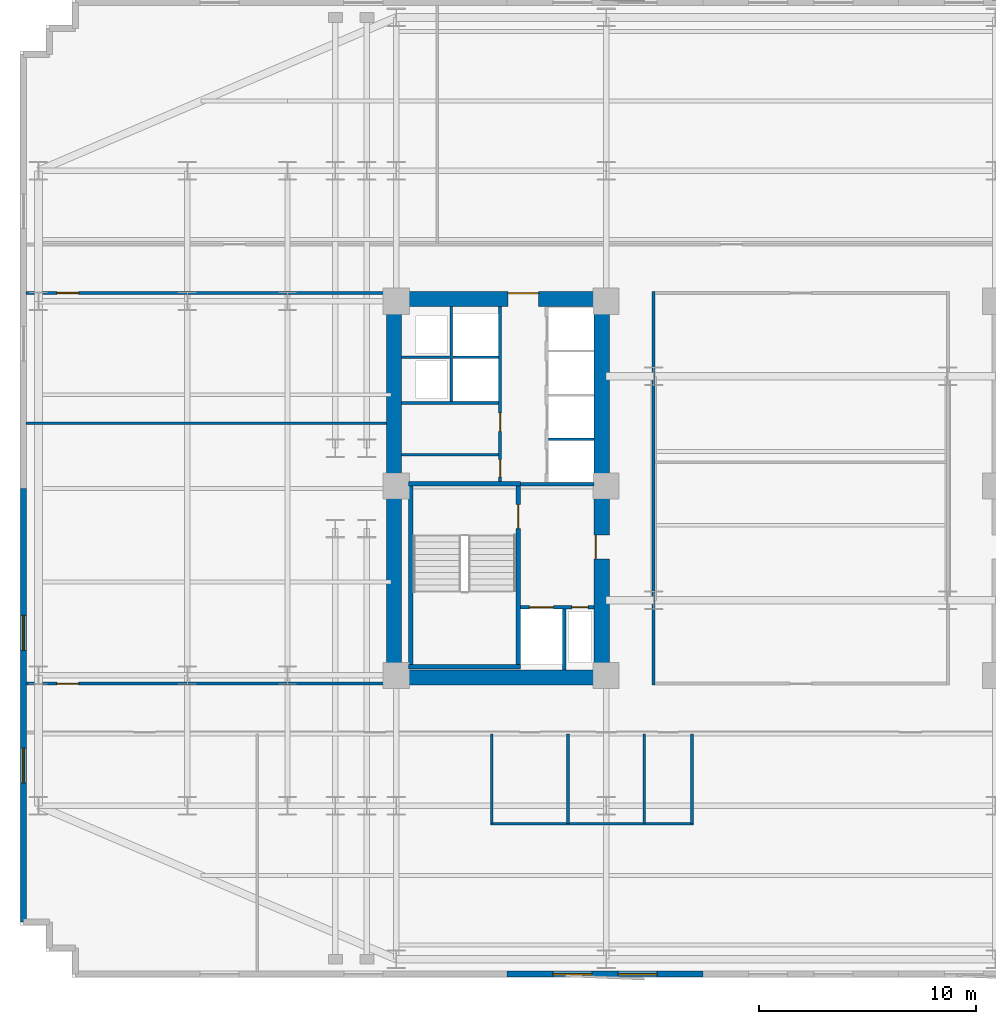
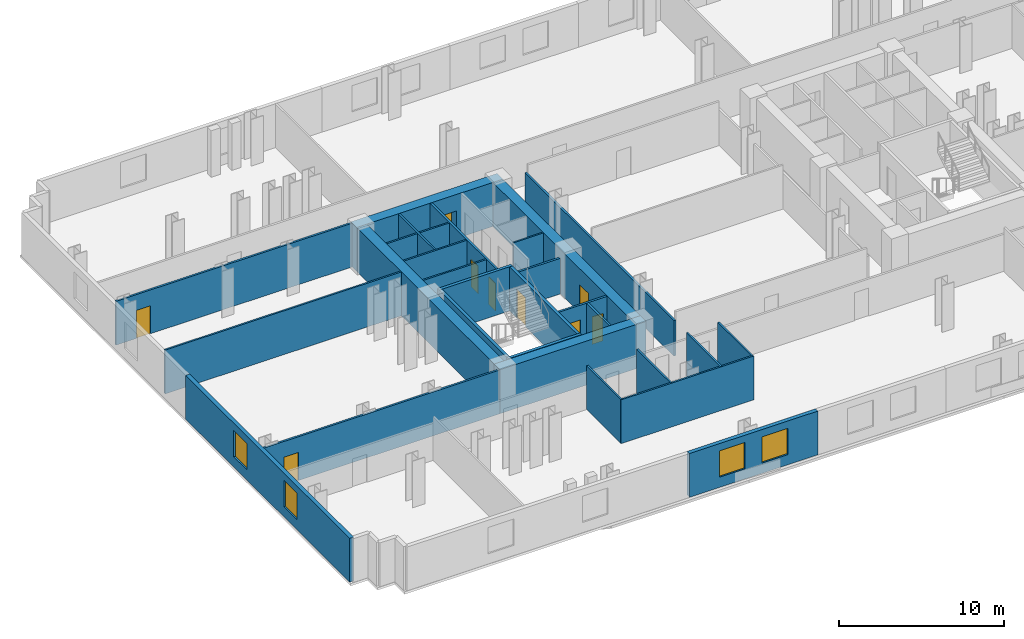
# One storey, part 4 of 10: 29 walls, 9 doors, 4 windows, 13 openings.
"""IFC4 building model written with IfcOpenShell, lengths in metres."""

from ifc_helpers import new_model, si_unit, direction, frame, frame_2d, origin, place, context, subcontext, project, spatial, rectangle, extrude, material, layer, layer_set, type_object, element, fill, save


model = new_model("IFC4")

# Units and contexts
model_context = context("Model", 3, precision=1e-05, world=origin(), true_north=direction((0.0, 1.0)))
body_context = subcontext(model_context, "Body", "Model", "MODEL_VIEW")
ifc_project = project(units=[si_unit("LENGTHUNIT", "METRE"), si_unit("AREAUNIT", "SQUARE_METRE"), si_unit("VOLUMEUNIT", "CUBIC_METRE"), si_unit("PLANEANGLEUNIT", "RADIAN"), si_unit("MASSUNIT", "GRAM", prefix="KILO")], contexts=[model_context])

# Site, building, storey
site_placement = place(None, origin())
site = spatial("IfcSite", under=ifc_project, at=site_placement, CompositionType="ELEMENT")
building_placement = place(site_placement, origin())
building = spatial("IfcBuilding", under=site, at=building_placement, Name="Velakula Bourse", CompositionType="ELEMENT")
storey_placement = place(building_placement, frame((0.0, 0.0, 38.10009765625)))
storey = spatial("IfcBuildingStorey", under=building, at=storey_placement, Name="L09", CompositionType="ELEMENT", Elevation=38.10009765625)

# Wall, opening, door
ifc_material_1 = material(Name="Concrete M50 (fck 50 MPa)", Category="concrete")
ifc_layer_1 = layer(ifc_material_1, 0.2099609375, Name="Concrete M50 (fck 50 MPa)", Category="concrete")
ifc_layer_set_1 = layer_set([ifc_layer_1], Name="Concrete M50 (fck 50 MPa)")
wall_type_1 = type_object("IfcWallType", Name="WL-CORE-210", PredefinedType="SHEAR", material=ifc_layer_set_1)
wall_1_placement = place(storey_placement, frame((-12.9951171875, -8.10009765625, 0.0), z_axis=(0.0, 0.0, 1.0), x_axis=(0.0, 1.0, 0.0)))
wall_1 = element("IfcWall", 1, at=wall_1_placement, inside=storey, type_object=wall_type_1, Name="L09 Core W Stairwell Shear Wall IN", PredefinedType="SHEAR", context=body_context, shape_type="SweptSolid", body=[
    extrude(rectangle(XDim=8.2001953125, YDim=0.2099609375, at=frame_2d((4.10009765625, 0.0))), origin(), (0.0, 0.0, 1.0), 3.27001953125),
])
opening_1_placement = place(wall_1_placement, frame((6.25, 0.0, 0.0)))
opening_1 = element("IfcOpeningElement", 2, at=opening_1_placement, cuts=wall_1, Name="Opening D-STW1", PredefinedType="OPENING", context=body_context, shape_type="SweptSolid", body=[
    extrude(rectangle(XDim=1.10009765625, YDim=2.14990234375, at=frame_2d((0.550048828125, 1.074951171875))), frame((0.0, 0.114990234375, 0.0), z_axis=(0.0, -1.0, 0.0), x_axis=(1.0, 0.0, 0.0)), (0.0, 0.0, 1.0), 0.22998046875),
])
ifc_material_2 = material(Name="Galvanised painted hollow steel fire door", Category="steel")
door_type_1 = type_object("IfcDoorType", Name="DR-FD120-1100x2150", OperationType="NOTDEFINED", PredefinedType="DOOR", material=ifc_material_2)
door_1_placement = place(opening_1_placement, origin())
door_1 = element("IfcDoor", 3, at=door_1_placement, inside=storey, type_object=door_type_1, Name="L09 Stair ST-W1 Fire Door", OperationType="SINGLE_SWING_LEFT", OverallHeight=2.14990234375, OverallWidth=1.10009765625, PredefinedType="DOOR", context=body_context, shape_type="SweptSolid", body=[
    extrude(rectangle(XDim=1.10009765625, YDim=2.14990234375, at=frame_2d((0.550048828125, 1.074951171875))), frame((0.0, 0.02490234375, 0.0), z_axis=(0.0, -1.0, 0.0), x_axis=(1.0, 0.0, 0.0)), (0.0, 0.0, 1.0), 0.050048828125),
])
fill(opening_1, door_1)

# Walls
wall_2_placement = place(storey_placement, frame((-17.925048828125, -8.10009765625, 0.0), z_axis=(0.0, 0.0, 1.0), x_axis=(0.0, 1.0, 0.0)))
element("IfcWall", 4, at=wall_2_placement, inside=storey, type_object=wall_type_1, Name="L09 Core W Stairwell Shear Wall OUT", PredefinedType="SHEAR", context=body_context, shape_type="SweptSolid", body=[
    extrude(rectangle(XDim=8.2001953125, YDim=0.2099609375, at=frame_2d((4.10009765625, 0.0))), origin(), (0.0, 0.0, 1.0), 3.27001953125),
])
for number, where, z_axis, x_axis, name in (
    (5, (-18.030029296875, -8.205078125, 0.0), (0.0, 0.0, 1.0), (1.0, 0.0, 0.0), "L09 Core W Stairwell Shear Wall S"),
    (6, (-12.889892578125, 0.205078125, 0.0), (0.0, 0.0, 1.0), (-1.0, 0.0, 0.0), "L09 Core W Stairwell Shear Wall N"),
):
    element("IfcWall", number, at=place(storey_placement, frame(where, z_axis=z_axis, x_axis=x_axis)), inside=storey, type_object=wall_type_1, Name=name, PredefinedType="SHEAR", context=body_context, shape_type="SweptSolid", body=[
        extrude(rectangle(XDim=5.14013671875, YDim=0.2099609375, at=frame_2d((2.570068359375, 0.0))), origin(), (0.0, 0.0, 1.0), 3.27001953125),
    ])
ifc_material_3 = material(Name="Concrete M70 (fck 70 MPa)", Category="concrete")
ifc_layer_2 = layer(ifc_material_3, 0.699951171875, Name="Concrete M70 (fck 70 MPa)", Category="concrete")
ifc_layer_set_2 = layer_set([ifc_layer_2], Name="Concrete M70 (fck 70 MPa)")
wall_type_2 = type_object("IfcWallType", Name="WL-CORE-700", PredefinedType="SHEAR", material=ifc_layer_set_2)
wall_3_placement = place(storey_placement, frame((-19.050048828125, -8.699951171875, 0.0), z_axis=(0.0, 0.0, 1.0), x_axis=(1.0, 0.0, 0.0)))
element("IfcWall", 7, at=wall_3_placement, inside=storey, type_object=wall_type_2, Name="L09 Core W Shear Wall S", PredefinedType="SHEAR", context=body_context, shape_type="SweptSolid", body=[
    extrude(rectangle(XDim=10.25, YDim=0.699951171875, at=frame_2d((5.125, 0.0))), origin(), (0.0, 0.0, 1.0), 3.27001953125),
])

# Wall, opening, door
wall_4_placement = place(storey_placement, frame((-19.050048828125, 8.699951171875, 0.0), z_axis=(0.0, 0.0, 1.0), x_axis=(1.0, 0.0, 0.0)))
wall_4 = element("IfcWall", 8, at=wall_4_placement, inside=storey, type_object=wall_type_2, Name="L09 Core W Shear Wall N", PredefinedType="SHEAR", context=body_context, shape_type="SweptSolid", body=[
    extrude(rectangle(XDim=10.25, YDim=0.699951171875, at=frame_2d((5.125, 0.0))), origin(), (0.0, 0.0, 1.0), 3.27001953125),
])
opening_2_placement = place(wall_4_placement, frame((5.60009765625, 0.0, 0.0)))
opening_2 = element("IfcOpeningElement", 9, at=opening_2_placement, cuts=wall_4, Name="Opening D-LLW", PredefinedType="OPENING", context=body_context, shape_type="SweptSolid", body=[
    extrude(rectangle(XDim=1.39990234375, YDim=2.050048828125, at=frame_2d((0.699951171875, 1.02490234375))), frame((0.0, 0.35986328125, 0.0), z_axis=(0.0, -1.0, 0.0), x_axis=(1.0, 0.0, 0.0)), (0.0, 0.0, 1.0), 0.719970703125),
])
ifc_material_4 = material(Name="Fire-rated hardwood flush architectural door", Category="wood")
door_type_2 = type_object("IfcDoorType", Name="DR-DBL-FD60-1400", OperationType="DOUBLE_DOOR_SINGLE_SWING", PredefinedType="DOOR", material=ifc_material_4)
door_2_placement = place(opening_2_placement, origin())
door_2 = element("IfcDoor", 10, at=door_2_placement, inside=storey, type_object=door_type_2, Name="L09 Core W Lift Lobby Corridor Double Door", OperationType="DOUBLE_DOOR_SINGLE_SWING", OverallHeight=2.050048828125, OverallWidth=1.39990234375, PredefinedType="DOOR", context=body_context, shape_type="SweptSolid", body=[
    extrude(rectangle(XDim=1.39990234375, YDim=2.050048828125, at=frame_2d((0.699951171875, 1.02490234375))), frame((0.0, 0.294921875, 0.0), z_axis=(0.0, -1.0, 0.0), x_axis=(1.0, 0.0, 0.0)), (0.0, 0.0, 1.0), 0.050048828125),
])
fill(opening_2, door_2)

# Wall
wall_5_placement = place(storey_placement, frame((-18.699951171875, -8.35009765625, 0.0), z_axis=(0.0, 0.0, 1.0), x_axis=(0.0, 1.0, 0.0)))
element("IfcWall", 11, at=wall_5_placement, inside=storey, type_object=wall_type_2, Name="L09 Core W Shear Wall W", PredefinedType="SHEAR", context=body_context, shape_type="SweptSolid", body=[
    extrude(rectangle(XDim=16.7001953125, YDim=0.699951171875, at=frame_2d((8.35009765625, 0.0))), origin(), (0.0, 0.0, 1.0), 3.27001953125),
])

# Wall, opening, door
wall_6_placement = place(storey_placement, frame((-9.14990234375, -8.35009765625, 0.0), z_axis=(0.0, 0.0, 1.0), x_axis=(0.0, 1.0, 0.0)))
wall_6 = element("IfcWall", 12, at=wall_6_placement, inside=storey, type_object=wall_type_2, Name="L09 Core W Shear Wall E", PredefinedType="SHEAR", context=body_context, shape_type="SweptSolid", body=[
    extrude(rectangle(XDim=16.7001953125, YDim=0.699951171875, at=frame_2d((8.35009765625, 0.0))), origin(), (0.0, 0.0, 1.0), 3.27001953125),
])
opening_3_placement = place(wall_6_placement, frame((5.10009765625, 0.0, 0.0)))
opening_3 = element("IfcOpeningElement", 13, at=opening_3_placement, cuts=wall_6, Name="Opening D-FLW", PredefinedType="OPENING", context=body_context, shape_type="SweptSolid", body=[
    extrude(rectangle(XDim=1.10009765625, YDim=2.080078125, at=frame_2d((0.550048828125, 1.0400390625))), frame((0.0, 0.35986328125, 0.0), z_axis=(0.0, -1.0, 0.0), x_axis=(1.0, 0.0, 0.0)), (0.0, 0.0, 1.0), 0.719970703125),
])
door_type_3 = type_object("IfcDoorType", Name="DR-FD120-1100", OperationType="NOTDEFINED", PredefinedType="DOOR", material=ifc_material_2)
door_3_placement = place(opening_3_placement, origin())
door_3 = element("IfcDoor", 14, at=door_3_placement, inside=storey, type_object=door_type_3, Name="L09 Firefighting Lobby W Corridor Fire Door", OperationType="SINGLE_SWING_LEFT", OverallHeight=2.080078125, OverallWidth=1.10009765625, PredefinedType="DOOR", context=body_context, shape_type="SweptSolid", body=[
    extrude(rectangle(XDim=1.10009765625, YDim=2.080078125, at=frame_2d((0.550048828125, 1.0400390625))), frame((0.0, 0.30517578125, 0.0), z_axis=(0.0, -1.0, 0.0), x_axis=(1.0, 0.0, 0.0)), (0.0, 0.0, 1.0), 0.050048828125),
])
fill(opening_3, door_3)

# Wall, openings, windows
ifc_material_5 = material(Name="Red kilned clay facing brick masonry", Category="masonry")
ifc_layer_3 = layer(ifc_material_5, 0.280029296875, Name="Red kilned clay facing brick masonry", Category="masonry")
ifc_layer_set_3 = layer_set([ifc_layer_3], Name="Red kilned clay facing brick masonry")
wall_type_3 = type_object("IfcWallType", Name="WL-EXT-BRK-280", PredefinedType="STANDARD", material=ifc_layer_set_3)
wall_7_placement = place(storey_placement, frame((-4.5, -22.340087890625, 0.0), z_axis=(0.0, 0.0, 1.0), x_axis=(-1.0, 0.0, 0.0)))
wall_7 = element("IfcWall", 15, at=wall_7_placement, inside=storey, type_object=wall_type_3, Name="L09 S Brick Spandrel Wall B2", PredefinedType="STANDARD", context=body_context, shape_type="SweptSolid", body=[
    extrude(rectangle(XDim=9.0, YDim=0.280029296875, at=frame_2d((4.5, 0.0))), origin(), (0.0, 0.0, 1.0), 3.25),
])
opening_4_placement = place(wall_7_placement, frame((2.10009765625, 0.0, 0.760009765625)))
opening_4 = element("IfcOpeningElement", 16, at=opening_4_placement, cuts=wall_7, Name="Opening W-01", PredefinedType="OPENING", context=body_context, shape_type="SweptSolid", body=[
    extrude(rectangle(XDim=1.800048828125, YDim=1.949951171875, at=frame_2d((0.89990234375, 0.97509765625))), frame((0.0, 0.14990234375, 0.0), z_axis=(0.0, -1.0, 0.0), x_axis=(1.0, 0.0, 0.0)), (0.0, 0.0, 1.0), 0.300048828125),
])
opening_5_placement = place(wall_7_placement, frame((5.10009765625, 0.0, 0.760009765625)))
opening_5 = element("IfcOpeningElement", 17, at=opening_5_placement, cuts=wall_7, Name="Opening W-01", PredefinedType="OPENING", context=body_context, shape_type="SweptSolid", body=[
    extrude(rectangle(XDim=1.800048828125, YDim=1.949951171875, at=frame_2d((0.89990234375, 0.97509765625))), frame((0.0, 0.14990234375, 0.0), z_axis=(0.0, -1.0, 0.0), x_axis=(1.0, 0.0, 0.0)), (0.0, 0.0, 1.0), 0.300048828125),
])
ifc_material_6 = material(Name="Double-glazed solar-control Low-E glass", Category="glass")
window_type_1 = type_object("IfcWindowType", Name="WIN-TWR-1800x2100", PartitioningType="SINGLE_PANEL", PredefinedType="WINDOW", material=ifc_material_6)
window_1_placement = place(opening_4_placement, origin())
window_1 = element("IfcWindow", 18, at=window_1_placement, inside=storey, type_object=window_type_1, Name="L09 Deep-Set Recessed Window 1", OverallHeight=1.949951171875, OverallWidth=1.800048828125, PartitioningType="SINGLE_PANEL", PredefinedType="WINDOW", context=body_context, shape_type="SweptSolid", body=[
    extrude(rectangle(XDim=1.800048828125, YDim=1.949951171875, at=frame_2d((0.89990234375, 0.97509765625))), frame((0.0, 0.030029296875, 0.0), z_axis=(0.0, -1.0, 0.0), x_axis=(1.0, 0.0, 0.0)), (0.0, 0.0, 1.0), 0.06005859375),
])
fill(opening_4, window_1)
window_2_placement = place(opening_5_placement, origin())
window_2 = element("IfcWindow", 19, at=window_2_placement, inside=storey, type_object=window_type_1, Name="L09 Deep-Set Recessed Window 2", OverallHeight=1.949951171875, OverallWidth=1.800048828125, PartitioningType="SINGLE_PANEL", PredefinedType="WINDOW", context=body_context, shape_type="SweptSolid", body=[
    extrude(rectangle(XDim=1.800048828125, YDim=1.949951171875, at=frame_2d((0.89990234375, 0.97509765625))), frame((0.0, 0.030029296875, 0.0), z_axis=(0.0, -1.0, 0.0), x_axis=(1.0, 0.0, 0.0)), (0.0, 0.0, 1.0), 0.06005859375),
])
fill(opening_5, window_2)

wall_8_placement = place(storey_placement, frame((-35.739990234375, -19.93994140625, 0.0), z_axis=(0.0, 0.0, 1.0), x_axis=(0.0, 1.0, 0.0)))
wall_8 = element("IfcWall", 20, at=wall_8_placement, inside=storey, type_object=wall_type_3, Name="L09 W Brick End Wall W1", PredefinedType="STANDARD", context=body_context, shape_type="SweptSolid", body=[
    extrude(rectangle(XDim=19.93994140625, YDim=0.280029296875, at=frame_2d((9.969970703125, 0.0))), origin(), (0.0, 0.0, 1.0), 3.25),
])
opening_6_placement = place(wall_8_placement, frame((6.396728515625, 0.0, 0.760009765625)))
opening_6 = element("IfcOpeningElement", 21, at=opening_6_placement, cuts=wall_8, Name="Opening W-02", PredefinedType="OPENING", context=body_context, shape_type="SweptSolid", body=[
    extrude(rectangle(XDim=1.60009765625, YDim=1.949951171875, at=frame_2d((0.800048828125, 0.97509765625))), frame((0.0, 0.14990234375, 0.0), z_axis=(0.0, -1.0, 0.0), x_axis=(1.0, 0.0, 0.0)), (0.0, 0.0, 1.0), 0.300048828125),
])
opening_7_placement = place(wall_8_placement, frame((12.493408203125, 0.0, 0.760009765625)))
opening_7 = element("IfcOpeningElement", 22, at=opening_7_placement, cuts=wall_8, Name="Opening W-02", PredefinedType="OPENING", context=body_context, shape_type="SweptSolid", body=[
    extrude(rectangle(XDim=1.60009765625, YDim=1.949951171875, at=frame_2d((0.800048828125, 0.97509765625))), frame((0.0, 0.14990234375, 0.0), z_axis=(0.0, -1.0, 0.0), x_axis=(1.0, 0.0, 0.0)), (0.0, 0.0, 1.0), 0.300048828125),
])
window_type_2 = type_object("IfcWindowType", Name="WIN-TWR-1600x2100", PartitioningType="SINGLE_PANEL", PredefinedType="WINDOW", material=ifc_material_6)
window_3_placement = place(opening_6_placement, origin())
window_3 = element("IfcWindow", 23, at=window_3_placement, inside=storey, type_object=window_type_2, Name="L09 Deep-Set Recessed Window 1", OverallHeight=1.949951171875, OverallWidth=1.60009765625, PartitioningType="SINGLE_PANEL", PredefinedType="WINDOW", context=body_context, shape_type="SweptSolid", body=[
    extrude(rectangle(XDim=1.60009765625, YDim=1.949951171875, at=frame_2d((0.800048828125, 0.97509765625))), frame((0.0, 0.030029296875, 0.0), z_axis=(0.0, -1.0, 0.0), x_axis=(1.0, 0.0, 0.0)), (0.0, 0.0, 1.0), 0.06005859375),
])
fill(opening_6, window_3)
window_4_placement = place(opening_7_placement, origin())
window_4 = element("IfcWindow", 24, at=window_4_placement, inside=storey, type_object=window_type_2, Name="L09 Deep-Set Recessed Window 2", OverallHeight=1.949951171875, OverallWidth=1.60009765625, PartitioningType="SINGLE_PANEL", PredefinedType="WINDOW", context=body_context, shape_type="SweptSolid", body=[
    extrude(rectangle(XDim=1.60009765625, YDim=1.949951171875, at=frame_2d((0.800048828125, 0.97509765625))), frame((0.0, 0.030029296875, 0.0), z_axis=(0.0, -1.0, 0.0), x_axis=(1.0, 0.0, 0.0)), (0.0, 0.0, 1.0), 0.06005859375),
])
fill(opening_7, window_4)

# Walls
ifc_material_7 = material(Name="Fire-rated double-layer gypsum drywall partition", Category="gypsum")
ifc_layer_4 = layer(ifc_material_7, 0.1201171875, Name="Fire-rated double-layer gypsum drywall partition", Category="gypsum")
ifc_layer_set_4 = layer_set([ifc_layer_4], Name="Fire-rated double-layer gypsum drywall partition")
wall_type_4 = type_object("IfcWallType", Name="WL-PART-120", PredefinedType="STANDARD", material=ifc_layer_set_4)
wall_9_placement = place(storey_placement, frame((-11.60009765625, 2.2548828125, 0.0), z_axis=(0.0, 0.0, 1.0), x_axis=(1.0, 0.0, 0.0)))
element("IfcWall", 25, at=wall_9_placement, inside=storey, type_object=wall_type_4, Name="L09 Interior Partition WL-CRW-L09-BDIV-0", PredefinedType="STANDARD", context=body_context, shape_type="SweptSolid", body=[
    extrude(rectangle(XDim=2.10009765625, YDim=0.110107421875, at=frame_2d((1.050048828125, 0.0))), origin(), (0.0, 0.0, 1.0), 3.25),
])
wall_10_placement = place(storey_placement, frame((-18.35009765625, 3.919921875, 0.0), z_axis=(0.0, 0.0, 1.0), x_axis=(1.0, 0.0, 0.0)))
element("IfcWall", 26, at=wall_10_placement, inside=storey, type_object=wall_type_4, Name="L09 Interior Partition WL-CRW-L09-HI-S", PredefinedType="STANDARD", context=body_context, shape_type="SweptSolid", body=[
    extrude(rectangle(XDim=4.4501953125, YDim=0.1201171875, at=frame_2d((2.22509765625, 0.0))), origin(), (0.0, 0.0, 1.0), 3.25),
])
wall_11_placement = place(storey_placement, frame((-18.35009765625, 6.030029296875, 0.0), z_axis=(0.0, 0.0, 1.0), x_axis=(1.0, 0.0, 0.0)))
element("IfcWall", 27, at=wall_11_placement, inside=storey, type_object=wall_type_4, Name="L09 Interior Partition WL-CRW-L09-RIS-MID", PredefinedType="STANDARD", context=body_context, shape_type="SweptSolid", body=[
    extrude(rectangle(XDim=2.2001953125, YDim=0.1201171875, at=frame_2d((1.10009765625, 0.0))), origin(), (0.0, 0.0, 1.0), 3.25),
])
wall_12_placement = place(storey_placement, frame((-16.074951171875, 3.97998046875, 0.0), z_axis=(0.0, 0.0, 1.0), x_axis=(0.0, 1.0, 0.0)))
element("IfcWall", 28, at=wall_12_placement, inside=storey, type_object=wall_type_4, Name="L09 Interior Partition WL-CRW-L09-RIS-F", PredefinedType="STANDARD", context=body_context, shape_type="SweptSolid", body=[
    extrude(rectangle(XDim=4.3701171875, YDim=0.1201171875, at=frame_2d((2.18505859375, 0.0))), origin(), (0.0, 0.0, 1.0), 3.25),
])
wall_13_placement = place(storey_placement, frame((-16.0, 6.030029296875, 0.0), z_axis=(0.0, 0.0, 1.0), x_axis=(1.0, 0.0, 0.0)))
element("IfcWall", 29, at=wall_13_placement, inside=storey, type_object=wall_type_4, Name="L09 Interior Partition WL-CRW-L09-HI-DIV", PredefinedType="STANDARD", context=body_context, shape_type="SweptSolid", body=[
    extrude(rectangle(XDim=2.10009765625, YDim=0.1201171875, at=frame_2d((1.050048828125, 0.0))), origin(), (0.0, 0.0, 1.0), 3.25),
])
wall_14_placement = place(storey_placement, frame((-18.35009765625, 1.550048828125, 0.0), z_axis=(0.0, 0.0, 1.0), x_axis=(1.0, 0.0, 0.0)))
element("IfcWall", 30, at=wall_14_placement, inside=storey, type_object=wall_type_4, Name="L09 Interior Partition WL-CRW-L09-K1", PredefinedType="STANDARD", context=body_context, shape_type="SweptSolid", body=[
    extrude(rectangle(XDim=4.4501953125, YDim=0.1201171875, at=frame_2d((2.22509765625, 0.0))), origin(), (0.0, 0.0, 1.0), 3.25),
])
wall_15_placement = place(storey_placement, frame((-14.260009765625, -15.419921875, 0.0), z_axis=(0.0, 0.0, 1.0), x_axis=(1.0, 0.0, 0.0)))
element("IfcWall", 31, at=wall_15_placement, inside=storey, type_object=wall_type_4, Name="L09 Interior Partition WL-WC-L09-BACK", PredefinedType="STANDARD", context=body_context, shape_type="SweptSolid", body=[
    extrude(rectangle(XDim=9.320068359375, YDim=0.1201171875, at=frame_2d((4.66015625, 0.0))), origin(), (0.0, 0.0, 1.0), 3.25),
])
for number, where, z_axis, x_axis, name in (
    (32, (-14.199951171875, -15.419921875, 0.0), (0.0, 0.0, 1.0), (0.0, 1.0, 0.0), "L09 Interior Partition WL-WC-L09-V1"),
    (33, (-10.699951171875, -15.419921875, 0.0), (0.0, 0.0, 1.0), (0.0, 1.0, 0.0), "L09 Interior Partition WL-WC-L09-V2"),
    (34, (-7.199951171875, -15.419921875, 0.0), (0.0, 0.0, 1.0), (0.0, 1.0, 0.0), "L09 Interior Partition WL-WC-L09-V3"),
    (35, (-5.0, -15.419921875, 0.0), (0.0, 0.0, 1.0), (0.0, 1.0, 0.0), "L09 Interior Partition WL-WC-L09-V4"),
):
    element("IfcWall", number, at=place(storey_placement, frame(where, z_axis=z_axis, x_axis=x_axis)), inside=storey, type_object=wall_type_4, Name=name, PredefinedType="STANDARD", context=body_context, shape_type="SweptSolid", body=[
        extrude(rectangle(XDim=4.1298828125, YDim=0.1201171875, at=frame_2d((2.06494140625, 0.0))), origin(), (0.0, 0.0, 1.0), 3.25),
    ])
wall_16_placement = place(storey_placement, frame((-35.6201171875, 3.0, 0.0), z_axis=(0.0, 0.0, 1.0), x_axis=(1.0, 0.0, 0.0)))
element("IfcWall", 36, at=wall_16_placement, inside=storey, type_object=wall_type_4, Name="L09 Interior Partition WL-INT-L09-W-H", PredefinedType="STANDARD", context=body_context, shape_type="SweptSolid", body=[
    extrude(rectangle(XDim=16.570068359375, YDim=0.1201171875, at=frame_2d((8.28515625, 0.0))), origin(), (0.0, 0.0, 1.0), 3.25),
])

# Wall, opening, door
ifc_layer_5 = layer(ifc_material_7, 0.139892578125, Name="Fire-rated double-layer gypsum drywall partition", Category="gypsum")
ifc_layer_set_5 = layer_set([ifc_layer_5], Name="Fire-rated double-layer gypsum drywall partition")
wall_type_5 = type_object("IfcWallType", Name="WL-PART-140", PredefinedType="STANDARD", material=ifc_layer_set_5)
wall_17_placement = place(storey_placement, frame((-35.6201171875, 8.97998046875, 0.0), z_axis=(0.0, 0.0, 1.0), x_axis=(1.0, 0.0, 0.0)))
wall_17 = element("IfcWall", 37, at=wall_17_placement, inside=storey, type_object=wall_type_5, Name="L09 Interior Partition WL-INT-L09-W-NC", PredefinedType="STANDARD", context=body_context, shape_type="SweptSolid", body=[
    extrude(rectangle(XDim=16.570068359375, YDim=0.139892578125, at=frame_2d((8.28515625, 0.0))), origin(), (0.0, 0.0, 1.0), 3.25),
])
opening_8_placement = place(wall_17_placement, frame((1.417724609375, 0.0, 0.0)))
opening_8 = element("IfcOpeningElement", 38, at=opening_8_placement, cuts=wall_17, Name="Opening D-OF1", PredefinedType="OPENING", context=body_context, shape_type="SweptSolid", body=[
    extrude(rectangle(XDim=1.0, YDim=2.080078125, at=frame_2d((0.5, 1.0400390625))), frame((0.0, 0.079833984375, 0.0), z_axis=(0.0, -1.0, 0.0), x_axis=(1.0, 0.0, 0.0)), (0.0, 0.0, 1.0), 0.159912109375),
])
door_type_4 = type_object("IfcDoorType", Name="DR-OFF-1000", OperationType="NOTDEFINED", PredefinedType="DOOR", material=ifc_material_4)
door_4_placement = place(opening_8_placement, origin())
door_4 = element("IfcDoor", 39, at=door_4_placement, inside=storey, type_object=door_type_4, Name="L09 Legal Counsel Office Door", OperationType="SINGLE_SWING_LEFT", OverallHeight=2.080078125, OverallWidth=1.0, PredefinedType="DOOR", context=body_context, shape_type="SweptSolid", body=[
    extrude(rectangle(XDim=1.0, YDim=2.080078125, at=frame_2d((0.5, 1.0400390625))), frame((0.0, 0.02490234375, 0.0), z_axis=(0.0, -1.0, 0.0), x_axis=(1.0, 0.0, 0.0)), (0.0, 0.0, 1.0), 0.050048828125),
])
fill(opening_8, door_4)

wall_18_placement = place(storey_placement, frame((-35.6201171875, -8.97998046875, 0.0), z_axis=(0.0, 0.0, 1.0), x_axis=(1.0, 0.0, 0.0)))
wall_18 = element("IfcWall", 40, at=wall_18_placement, inside=storey, type_object=wall_type_5, Name="L09 Interior Partition WL-INT-L09-W-SC", PredefinedType="STANDARD", context=body_context, shape_type="SweptSolid", body=[
    extrude(rectangle(XDim=16.570068359375, YDim=0.139892578125, at=frame_2d((8.28515625, 0.0))), origin(), (0.0, 0.0, 1.0), 3.25),
])
opening_9_placement = place(wall_18_placement, frame((1.417724609375, 0.0, 0.0)))
opening_9 = element("IfcOpeningElement", 41, at=opening_9_placement, cuts=wall_18, Name="Opening D-OF1", PredefinedType="OPENING", context=body_context, shape_type="SweptSolid", body=[
    extrude(rectangle(XDim=1.0, YDim=2.080078125, at=frame_2d((0.5, 1.0400390625))), frame((0.0, 0.079833984375, 0.0), z_axis=(0.0, -1.0, 0.0), x_axis=(1.0, 0.0, 0.0)), (0.0, 0.0, 1.0), 0.159912109375),
])
door_5_placement = place(opening_9_placement, origin())
door_5 = element("IfcDoor", 42, at=door_5_placement, inside=storey, type_object=door_type_4, Name="L09 Quantitative Research Workspace Door", OperationType="SINGLE_SWING_RIGHT", OverallHeight=2.080078125, OverallWidth=1.0, PredefinedType="DOOR", context=body_context, shape_type="SweptSolid", body=[
    extrude(rectangle(XDim=1.0, YDim=2.080078125, at=frame_2d((0.5, 1.0400390625))), frame((0.0, 0.02490234375, 0.0), z_axis=(0.0, -1.0, 0.0), x_axis=(1.0, 0.0, 0.0)), (0.0, 0.0, 1.0), 0.050048828125),
])
fill(opening_9, door_5)

# Wall
wall_19_placement = place(storey_placement, frame((-6.780029296875, -9.050048828125, 0.0), z_axis=(0.0, 0.0, 1.0), x_axis=(0.0, 1.0, 0.0)))
element("IfcWall", 43, at=wall_19_placement, inside=storey, type_object=wall_type_5, Name="L09 Interior Partition WL-INT-L09-MID-W", PredefinedType="STANDARD", context=body_context, shape_type="SweptSolid", body=[
    extrude(rectangle(XDim=18.10009765625, YDim=0.139892578125, at=frame_2d((9.050048828125, 0.0))), origin(), (0.0, 0.0, 1.0), 2.64501953125),
])

# Wall, openings, doors
ifc_material_8 = material(Name="Autoclaved aerated concrete blockwork masonry", Category="masonry")
ifc_layer_6 = layer(ifc_material_8, 0.14990234375, Name="Autoclaved aerated concrete blockwork masonry", Category="masonry")
ifc_layer_set_6 = layer_set([ifc_layer_6], Name="Autoclaved aerated concrete blockwork masonry")
wall_type_6 = type_object("IfcWallType", Name="WL-SHAFT-150", PredefinedType="STANDARD", material=ifc_layer_set_6)
wall_20_placement = place(storey_placement, frame((-12.89501953125, -5.47509765625, 0.0), z_axis=(0.0, 0.0, 1.0), x_axis=(1.0, 0.0, 0.0)))
wall_20 = element("IfcWall", 44, at=wall_20_placement, inside=storey, type_object=wall_type_6, Name="L09 Interior Partition WL-CRW-L09-FFL-N", PredefinedType="STANDARD", context=body_context, shape_type="SweptSolid", body=[
    extrude(rectangle(XDim=3.39501953125, YDim=0.14990234375, at=frame_2d((1.697509765625, 0.0))), origin(), (0.0, 0.0, 1.0), 3.25),
])
opening_10_placement = place(wall_20_placement, frame((0.419921875, 0.0, 0.0)))
opening_10 = element("IfcOpeningElement", 45, at=opening_10_placement, cuts=wall_20, Name="Opening LD-FFL-1", PredefinedType="OPENING", context=body_context, shape_type="SweptSolid", body=[
    extrude(rectangle(XDim=1.10009765625, YDim=2.14990234375, at=frame_2d((0.550048828125, 1.074951171875))), frame((0.0, 0.0849609375, 0.0), z_axis=(0.0, -1.0, 0.0), x_axis=(1.0, 0.0, 0.0)), (0.0, 0.0, 1.0), 0.169921875),
])
opening_11_placement = place(wall_20_placement, frame((2.3701171875, 0.0, 0.0)))
opening_11 = element("IfcOpeningElement", 46, at=opening_11_placement, cuts=wall_20, Name="Opening D-RS1", PredefinedType="OPENING", context=body_context, shape_type="SweptSolid", body=[
    extrude(rectangle(XDim=0.75, YDim=2.050048828125, at=frame_2d((0.375, 1.02490234375))), frame((0.0, 0.0849609375, 0.0), z_axis=(0.0, -1.0, 0.0), x_axis=(1.0, 0.0, 0.0)), (0.0, 0.0, 1.0), 0.169921875),
])
door_type_5 = type_object("IfcDoorType", Name="DR-RISER-800", OperationType="NOTDEFINED", PredefinedType="DOOR", material=ifc_material_2)
door_6_placement = place(opening_11_placement, origin())
door_6 = element("IfcDoor", 47, at=door_6_placement, inside=storey, type_object=door_type_5, Name="L09 Fire Riser Access Door", OperationType="SINGLE_SWING_LEFT", OverallHeight=2.050048828125, OverallWidth=0.75, PredefinedType="DOOR", context=body_context, shape_type="SweptSolid", body=[
    extrude(rectangle(XDim=0.75, YDim=2.050048828125, at=frame_2d((0.375, 1.02490234375))), frame((0.0, 0.02490234375, 0.0), z_axis=(0.0, -1.0, 0.0), x_axis=(1.0, 0.0, 0.0)), (0.0, 0.0, 1.0), 0.050048828125),
])
fill(opening_11, door_6)
ifc_material_9 = material(Name="Brushed grade 316 stainless steel", Category="steel")
door_type_6 = type_object("IfcDoorType", Name="DR-SLIDE-FFL-1100", OperationType="DOUBLE_DOOR_SLIDING", PredefinedType="DOOR", material=ifc_material_9)
door_7_placement = place(opening_10_placement, origin())
door_7 = element("IfcDoor", 48, at=door_7_placement, inside=storey, type_object=door_type_6, Name="L09 Firefighting Lift FFL-1 Sliding Landing Door", OperationType="DOUBLE_DOOR_SLIDING", OverallHeight=2.14990234375, OverallWidth=1.10009765625, PredefinedType="DOOR", context=body_context, shape_type="SweptSolid", body=[
    extrude(rectangle(XDim=1.10009765625, YDim=2.14990234375, at=frame_2d((0.550048828125, 1.074951171875))), frame((0.0, 0.02490234375, 0.0), z_axis=(0.0, -1.0, 0.0), x_axis=(1.0, 0.0, 0.0)), (0.0, 0.0, 1.0), 0.050048828125),
])
fill(opening_10, door_7)

# Walls
wall_21_placement = place(storey_placement, frame((-10.875, -8.35009765625, 0.0), z_axis=(0.0, 0.0, 1.0), x_axis=(0.0, 1.0, 0.0)))
element("IfcWall", 49, at=wall_21_placement, inside=storey, type_object=wall_type_6, Name="L09 Interior Partition WL-CRW-L09-FR-DIV", PredefinedType="STANDARD", context=body_context, shape_type="SweptSolid", body=[
    extrude(rectangle(XDim=2.800048828125, YDim=0.14990234375, at=frame_2d((1.39990234375, 0.0))), origin(), (0.0, 0.0, 1.0), 3.25),
])
wall_22_placement = place(storey_placement, frame((-12.889892578125, 0.18994140625, 0.0), z_axis=(0.0, 0.0, 1.0), x_axis=(1.0, 0.0, 0.0)))
element("IfcWall", 50, at=wall_22_placement, inside=storey, type_object=wall_type_6, Name="L09 Interior Partition WL-CRW-L09-FF-TOP", PredefinedType="STANDARD", context=body_context, shape_type="SweptSolid", body=[
    extrude(rectangle(XDim=3.389892578125, YDim=0.14990234375, at=frame_2d((1.69482421875, 0.0))), origin(), (0.0, 0.0, 1.0), 2.64501953125),
])

# Wall, openings, doors
wall_23_placement = place(storey_placement, frame((-13.824951171875, 0.27001953125, 0.0), z_axis=(0.0, 0.0, 1.0), x_axis=(0.0, 1.0, 0.0)))
wall_23 = element("IfcWall", 51, at=wall_23_placement, inside=storey, type_object=wall_type_6, Name="L09 Interior Partition WL-CRW-L09-OUT-F", PredefinedType="STANDARD", context=body_context, shape_type="SweptSolid", body=[
    extrude(rectangle(XDim=8.080078125, YDim=0.14990234375, at=frame_2d((4.0400390625, 0.0))), origin(), (0.0, 0.0, 1.0), 3.25),
])
opening_12_placement = place(wall_23_placement, frame((0.25, 0.0, 0.0)))
opening_12 = element("IfcOpeningElement", 52, at=opening_12_placement, cuts=wall_23, Name="Opening D-CS1", PredefinedType="OPENING", context=body_context, shape_type="SweptSolid", body=[
    extrude(rectangle(XDim=0.800048828125, YDim=2.050048828125, at=frame_2d((0.39990234375, 1.02490234375))), frame((0.0, 0.0849609375, 0.0), z_axis=(0.0, -1.0, 0.0), x_axis=(1.0, 0.0, 0.0)), (0.0, 0.0, 1.0), 0.169921875),
])
opening_13_placement = place(wall_23_placement, frame((2.35009765625, 0.0, 0.0)))
opening_13 = element("IfcOpeningElement", 53, at=opening_13_placement, cuts=wall_23, Name="Opening D-CW1", PredefinedType="OPENING", context=body_context, shape_type="SweptSolid", body=[
    extrude(rectangle(XDim=0.85009765625, YDim=2.050048828125, at=frame_2d((0.425048828125, 1.02490234375))), frame((0.0, 0.0849609375, 0.0), z_axis=(0.0, -1.0, 0.0), x_axis=(1.0, 0.0, 0.0)), (0.0, 0.0, 1.0), 0.169921875),
])
door_type_7 = type_object("IfcDoorType", Name="DR-INT-850", OperationType="NOTDEFINED", PredefinedType="DOOR", material=ifc_material_4)
door_8_placement = place(opening_13_placement, origin())
door_8 = element("IfcDoor", 54, at=door_8_placement, inside=storey, type_object=door_type_7, Name="L09 Core Janitor Closet Door", OperationType="SINGLE_SWING_RIGHT", OverallHeight=2.050048828125, OverallWidth=0.85009765625, PredefinedType="DOOR", context=body_context, shape_type="SweptSolid", body=[
    extrude(rectangle(XDim=0.85009765625, YDim=2.050048828125, at=frame_2d((0.425048828125, 1.02490234375))), frame((0.0, 0.02490234375, 0.0), z_axis=(0.0, -1.0, 0.0), x_axis=(1.0, 0.0, 0.0)), (0.0, 0.0, 1.0), 0.050048828125),
])
fill(opening_13, door_8)
door_type_8 = type_object("IfcDoorType", Name="DR-RISER-800x2050", OperationType="NOTDEFINED", PredefinedType="DOOR", material=ifc_material_2)
door_9_placement = place(opening_12_placement, origin())
door_9 = element("IfcDoor", 55, at=door_9_placement, inside=storey, type_object=door_type_8, Name="L09 Core Cleaner Store Door", OperationType="SINGLE_SWING_RIGHT", OverallHeight=2.050048828125, OverallWidth=0.800048828125, PredefinedType="DOOR", context=body_context, shape_type="SweptSolid", body=[
    extrude(rectangle(XDim=0.800048828125, YDim=2.050048828125, at=frame_2d((0.39990234375, 1.02490234375))), frame((0.0, 0.02490234375, 0.0), z_axis=(0.0, -1.0, 0.0), x_axis=(1.0, 0.0, 0.0)), (0.0, 0.0, 1.0), 0.050048828125),
])
fill(opening_12, door_9)

save(model, "model.ifc")
